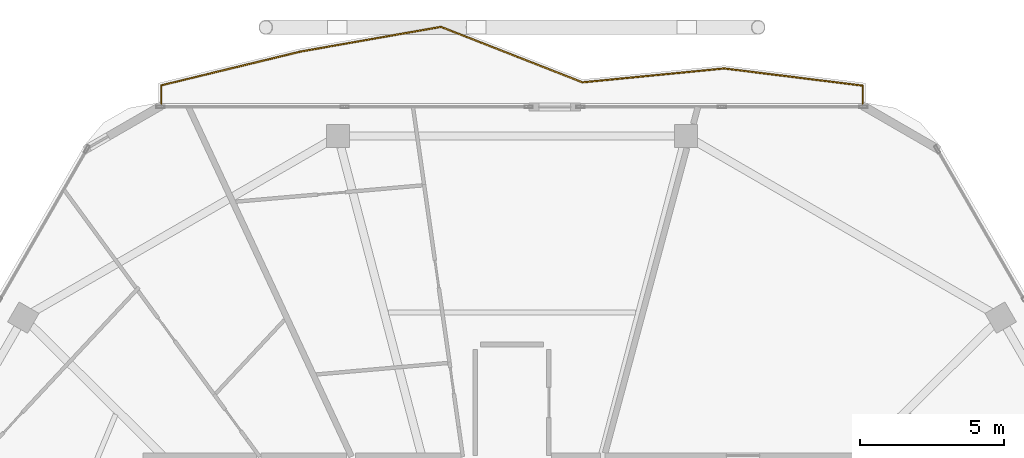
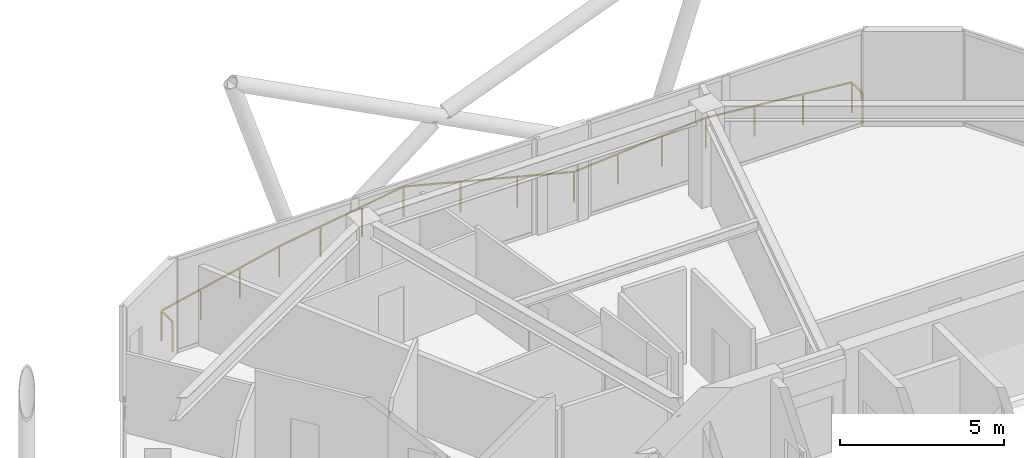
# One storey, part 23 of 23: 1 railing.
"""IFC4 building model written with IfcOpenShell, lengths in metres."""

from ifc_helpers import new_model, si_unit, direction, frame, origin, origin_2d, place, context, subcontext, project, spatial, rectangle, extrude, material, type_object, element, save


model = new_model("IFC4")

# Units and contexts
model_context = context("Model", 3, precision=1e-05, world=origin(), true_north=direction((0.0, 1.0)))
body_context = subcontext(model_context, "Body", "Model", "MODEL_VIEW")
ifc_project = project(units=[si_unit("LENGTHUNIT", "METRE"), si_unit("AREAUNIT", "SQUARE_METRE"), si_unit("VOLUMEUNIT", "CUBIC_METRE"), si_unit("PLANEANGLEUNIT", "RADIAN"), si_unit("MASSUNIT", "GRAM", prefix="KILO")], contexts=[model_context])

# Site, building, storey
site_placement = place(None, origin())
site = spatial("IfcSite", under=ifc_project, at=site_placement, CompositionType="ELEMENT")
building_placement = place(site_placement, origin())
building = spatial("IfcBuilding", under=site, at=building_placement, Name="Zuhravey Tower", CompositionType="ELEMENT")
storey_placement = place(building_placement, frame((0.0, 0.0, 323.39990234375)))
storey = spatial("IfcBuildingStorey", under=building, at=storey_placement, Name="L82", CompositionType="ELEMENT", Elevation=323.39990234375)

# Railing
ifc_material = material(Name="Stainless steel 316 and laminated glass", Category="steel")
railing_type = type_object("IfcRailingType", Name="Balcony & Terrace Guardrail 1150", PredefinedType="BALUSTRADE", material=ifc_material)
railing_placement = place(storey_placement, frame((23.831787109375, 56.1591796875, 0.0)))
element("IfcRailing", 1, at=railing_placement, inside=storey, type_object=railing_type, Name="L82 Face 2 Wave Balcony Guardrail GR1", PredefinedType="BALUSTRADE", context=body_context, shape_type="SweptSolid", body=[
    extrude(rectangle(XDim=0.048095703125, YDim=0.048095703125, at=origin_2d()), frame((0.0, 0.001953125, 1.1259765625), z_axis=(0.0, 1.0, 0.0), x_axis=(-1.0, 0.0, 0.0)), (0.0, 0.0, 1.0), 0.657470703125),
    extrude(rectangle(XDim=0.048095703125, YDim=0.048095703125, at=origin_2d()), frame((0.001953125, 0.661865234375, 1.1259765625), z_axis=(0.971781871479, 0.235881313937, 0.0), x_axis=(-0.235881313937, 0.971781871479, 0.0)), (0.0, 0.0, 1.0), 4.964111328125),
    extrude(rectangle(XDim=0.048095703125, YDim=0.048095703125, at=origin_2d()), frame((4.829833984375, 1.83349609375, 1.1259765625), z_axis=(0.984881691672, 0.173228327384, 0.0), x_axis=(-0.173228327384, 0.984881691672, 0.0)), (0.0, 0.0, 1.0), 4.947021484375),
    extrude(rectangle(XDim=0.048095703125, YDim=0.048095703125, at=origin_2d()), frame((9.7060546875, 2.690185546875, 1.1259765625), z_axis=(0.930791480784, -0.365550570098, 0.0), x_axis=(0.365550570098, 0.930791480784, 0.0)), (0.0, 0.0, 1.0), 5.26416015625),
    extrude(rectangle(XDim=0.048095703125, YDim=0.048095703125, at=origin_2d()), frame((14.609619140625, 0.765380859375, 1.1259765625), z_axis=(0.995222693626, 0.09763088698, 0.0), x_axis=(-0.09763088698, 0.995222693626, 0.0)), (0.0, 0.0, 1.0), 4.939697265625),
    extrude(rectangle(XDim=0.048095703125, YDim=0.048095703125, at=origin_2d()), frame((19.52978515625, 1.24755859375, 1.1259765625), z_axis=(0.992401407558, -0.123042457212, 0.0), x_axis=(0.123042457212, 0.992401407558, 0.0)), (0.0, 0.0, 1.0), 4.84130859375),
    extrude(rectangle(XDim=0.048095703125, YDim=0.048095703125, at=origin_2d()), frame((24.33642578125, 0.649658203125, 1.1259765625), z_axis=(0.0, -1.0, 0.0), x_axis=(1.0, 0.0, 0.0)), (0.0, 0.0, 1.0), 0.647705078125),
    extrude(rectangle(XDim=0.0419921875, YDim=0.0419921875, at=origin_2d()), origin(), (0.0, 0.0, 1.0), 1.099853515625),
    extrude(rectangle(XDim=0.0419921875, YDim=0.0419921875, at=origin_2d()), frame((0.0, 0.661376953125, 0.0)), (0.0, 0.0, 1.0), 1.099853515625),
    extrude(rectangle(XDim=0.0419921875, YDim=0.0419921875, at=origin_2d()), frame((1.609375, 1.052001953125, 0.0)), (0.0, 0.0, 1.0), 1.099853515625),
    extrude(rectangle(XDim=0.0419921875, YDim=0.0419921875, at=origin_2d()), frame((3.218505859375, 1.442626953125, 0.0)), (0.0, 0.0, 1.0), 1.099853515625),
    extrude(rectangle(XDim=0.0419921875, YDim=0.0419921875, at=origin_2d()), frame((4.827880859375, 1.833251953125, 0.0)), (0.0, 0.0, 1.0), 1.099853515625),
    extrude(rectangle(XDim=0.0419921875, YDim=0.0419921875, at=origin_2d()), frame((6.453369140625, 2.119140625, 0.0)), (0.0, 0.0, 1.0), 1.099853515625),
    extrude(rectangle(XDim=0.0419921875, YDim=0.0419921875, at=origin_2d()), frame((8.07861328125, 2.405029296875, 0.0)), (0.0, 0.0, 1.0), 1.099853515625),
    extrude(rectangle(XDim=0.0419921875, YDim=0.0419921875, at=origin_2d()), frame((9.7041015625, 2.69091796875, 0.0)), (0.0, 0.0, 1.0), 1.099853515625),
    extrude(rectangle(XDim=0.0419921875, YDim=0.0419921875, at=origin_2d()), frame((11.338623046875, 2.049072265625, 0.0)), (0.0, 0.0, 1.0), 1.099853515625),
    extrude(rectangle(XDim=0.0419921875, YDim=0.0419921875, at=origin_2d()), frame((12.97314453125, 1.406982421875, 0.0)), (0.0, 0.0, 1.0), 1.099853515625),
    extrude(rectangle(XDim=0.0419921875, YDim=0.0419921875, at=origin_2d()), frame((14.607666015625, 0.76513671875, 0.0)), (0.0, 0.0, 1.0), 1.099853515625),
    extrude(rectangle(XDim=0.0419921875, YDim=0.0419921875, at=origin_2d()), frame((16.247802734375, 0.926025390625, 0.0)), (0.0, 0.0, 1.0), 1.099853515625),
    extrude(rectangle(XDim=0.0419921875, YDim=0.0419921875, at=origin_2d()), frame((17.8876953125, 1.0869140625, 0.0)), (0.0, 0.0, 1.0), 1.099853515625),
    extrude(rectangle(XDim=0.0419921875, YDim=0.0419921875, at=origin_2d()), frame((19.52783203125, 1.247802734375, 0.0)), (0.0, 0.0, 1.0), 1.099853515625),
    extrude(rectangle(XDim=0.0419921875, YDim=0.0419921875, at=origin_2d()), frame((21.130615234375, 1.049072265625, 0.0)), (0.0, 0.0, 1.0), 1.099853515625),
    extrude(rectangle(XDim=0.0419921875, YDim=0.0419921875, at=origin_2d()), frame((22.733642578125, 0.850341796875, 0.0)), (0.0, 0.0, 1.0), 1.099853515625),
    extrude(rectangle(XDim=0.0419921875, YDim=0.0419921875, at=origin_2d()), frame((24.33642578125, 0.651611328125, 0.0)), (0.0, 0.0, 1.0), 1.099853515625),
    extrude(rectangle(XDim=0.0419921875, YDim=0.0419921875, at=origin_2d()), frame((24.33642578125, 0.0, 0.0)), (0.0, 0.0, 1.0), 1.099853515625),
])

save(model, "model.ifc")
